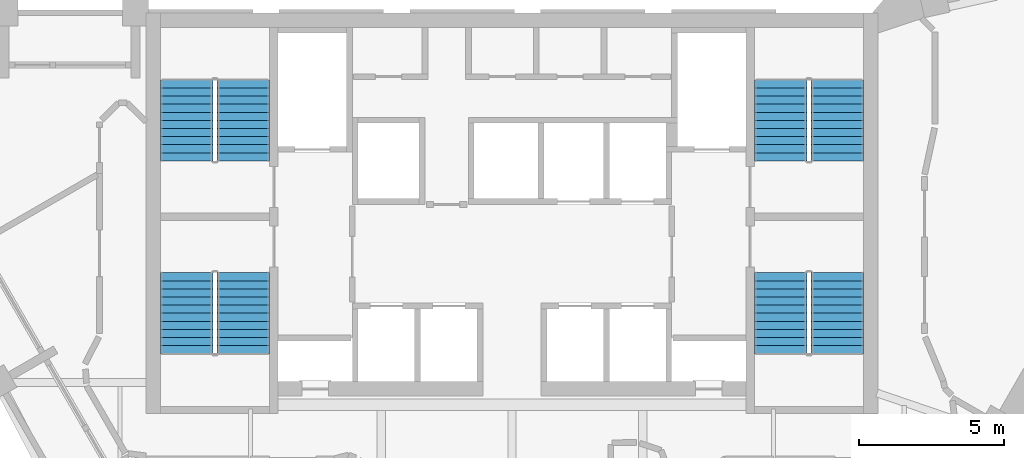
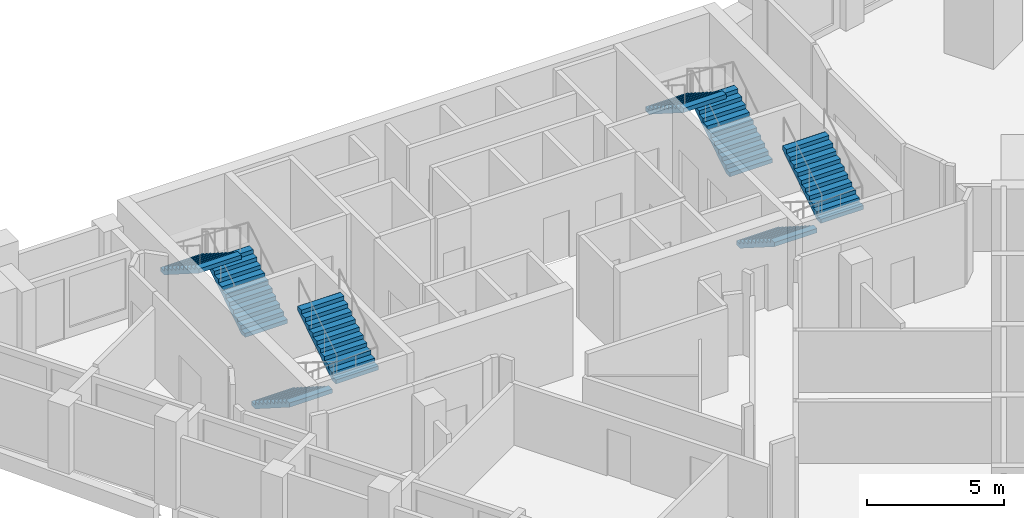
# One storey, part 8 of 9: 8 stair flights, 4 elements without a shape of their own.
"""IFC4 building model written with IfcOpenShell, lengths in metres."""

from ifc_helpers import new_model, si_unit, direction, frame, origin, place, context, subcontext, project, spatial, faceted_brep, source, transform, mapped, material, type_object, element, aggregate, save


model = new_model("IFC4")

# Units and contexts
model_context = context("Model", 3, precision=1e-05, world=origin(), true_north=direction((0.0, 1.0)))
body_context = subcontext(model_context, "Body", "Model", "MODEL_VIEW")
ifc_project = project(units=[si_unit("LENGTHUNIT", "METRE"), si_unit("AREAUNIT", "SQUARE_METRE"), si_unit("VOLUMEUNIT", "CUBIC_METRE"), si_unit("PLANEANGLEUNIT", "RADIAN"), si_unit("MASSUNIT", "GRAM", prefix="KILO")], contexts=[model_context])

# Site, building, storey
site_placement = place(None, origin())
site = spatial("IfcSite", under=ifc_project, at=site_placement, CompositionType="ELEMENT")
building_placement = place(site_placement, origin())
building = spatial("IfcBuilding", under=site, at=building_placement, Name="Calabash Gate Tower", CompositionType="ELEMENT")
storey_placement = place(building_placement, frame((0.0, 0.0, 291.10009765625)))
storey = spatial("IfcBuildingStorey", under=building, at=storey_placement, Name="L70", CompositionType="ELEMENT", Elevation=291.10009765625)

# Stair, stair flights
ifc_material_1 = material(Name="Concrete C40/50", Category="concrete")
stair_type = type_object("IfcStairType", Name="Exit stair 22 risers of 177.3 mm", PredefinedType="HALF_TURN_STAIR", material=ifc_material_1)
stair_1_placement = place(storey_placement, origin())
stair_1 = element("IfcStair", 1, at=stair_1_placement, inside=storey, type_object=stair_type, Name="L70 Exit stair ST1", PredefinedType="HALF_TURN_STAIR")
ifc_material_2 = material(Name="Concrete C40/50", Category="concrete")
stair_flight_type = type_object("IfcStairFlightType", Name="Exit stair flight SFL", PredefinedType="STRAIGHT", material=ifc_material_2)
shared_shape = source(origin(), body_context, "Body", "Brep", [
    faceted_brep([(-0.0009765625, -0.89990234375, 0.0), (0.279541015625, -0.89990234375, 0.0), (2.791015625, -0.89990234375, 1.59521484375), (-0.0009765625, 0.89990234375, 0.0), (2.791015625, 0.89990234375, 1.59521484375), (0.279541015625, 0.89990234375, 0.0), (2.791015625, -0.89990234375, 1.78466796875), (2.7900390625, -0.89990234375, 1.78466796875), (2.7900390625, 0.89990234375, 1.78466796875), (2.791015625, 0.89990234375, 1.78466796875), (2.7900390625, -0.89990234375, 1.772705078125), (2.7900390625, 0.89990234375, 1.772705078125), (2.510986328125, -0.89990234375, 1.772705078125), (2.510986328125, 0.89990234375, 1.772705078125), (2.510986328125, -0.89990234375, 1.595458984375), (2.510986328125, 0.89990234375, 1.595458984375), (2.23193359375, -0.89990234375, 1.595458984375), (2.23193359375, 0.89990234375, 1.595458984375), (2.23193359375, -0.89990234375, 1.418212890625), (2.23193359375, 0.89990234375, 1.418212890625), (1.952880859375, -0.89990234375, 1.418212890625), (1.952880859375, -0.89990234375, 1.240966796875), (1.952880859375, 0.89990234375, 1.240966796875), (1.952880859375, 0.89990234375, 1.418212890625), (1.674072265625, -0.89990234375, 1.240966796875), (1.674072265625, -0.89990234375, 1.063720703125), (1.674072265625, 0.89990234375, 1.063720703125), (1.674072265625, 0.89990234375, 1.240966796875), (1.39501953125, -0.89990234375, 1.063720703125), (1.39501953125, -0.89990234375, 0.886474609375), (1.39501953125, 0.89990234375, 0.886474609375), (1.39501953125, 0.89990234375, 1.063720703125), (1.115966796875, -0.89990234375, 0.886474609375), (1.115966796875, -0.89990234375, 0.708984375), (1.115966796875, 0.89990234375, 0.708984375), (1.115966796875, 0.89990234375, 0.886474609375), (0.8369140625, -0.89990234375, 0.708984375), (0.8369140625, -0.89990234375, 0.53173828125), (0.8369140625, 0.89990234375, 0.53173828125), (0.8369140625, 0.89990234375, 0.708984375), (0.55810546875, -0.89990234375, 0.53173828125), (0.55810546875, -0.89990234375, 0.3544921875), (0.55810546875, 0.89990234375, 0.3544921875), (0.55810546875, 0.89990234375, 0.53173828125), (0.279052734375, -0.89990234375, 0.3544921875), (0.279052734375, -0.89990234375, 0.17724609375), (0.279052734375, 0.89990234375, 0.17724609375), (0.279052734375, 0.89990234375, 0.3544921875), (-0.0009765625, -0.89990234375, 0.17724609375), (-0.0009765625, 0.89990234375, 0.17724609375), (0.279541015625, -0.360107421875, 0.0), (2.791015625, -0.360107421875, 1.59521484375), (0.279541015625, 0.0, 0.0), (2.791015625, 0.0, 1.59521484375), (0.279541015625, 0.360107421875, 0.0), (2.791015625, 0.360107421875, 1.59521484375), (2.791015625, -0.360107421875, 1.78466796875), (2.791015625, 0.0, 1.78466796875), (2.791015625, 0.360107421875, 1.78466796875), (2.7900390625, -0.360107421875, 1.78466796875), (2.7900390625, 0.0, 1.78466796875), (2.7900390625, 0.360107421875, 1.78466796875), (2.7900390625, -0.360107421875, 1.772705078125), (2.7900390625, 0.0, 1.772705078125), (2.7900390625, 0.360107421875, 1.772705078125), (2.510986328125, -0.360107421875, 1.772705078125), (2.510986328125, 0.0, 1.772705078125), (2.510986328125, 0.360107421875, 1.772705078125), (2.510986328125, -0.360107421875, 1.595458984375), (2.510986328125, 0.0, 1.595458984375), (2.510986328125, 0.360107421875, 1.595458984375), (2.23193359375, -0.360107421875, 1.595458984375), (2.23193359375, 0.0, 1.595458984375), (2.23193359375, 0.360107421875, 1.595458984375), (2.23193359375, -0.360107421875, 1.418212890625), (2.23193359375, 0.0, 1.418212890625), (2.23193359375, 0.360107421875, 1.418212890625), (1.952880859375, -0.360107421875, 1.418212890625), (1.952880859375, 0.0, 1.418212890625), (1.952880859375, 0.360107421875, 1.418212890625), (1.952880859375, -0.360107421875, 1.240966796875), (1.952880859375, 0.0, 1.240966796875), (1.952880859375, 0.360107421875, 1.240966796875), (1.674072265625, -0.360107421875, 1.240966796875), (1.674072265625, 0.0, 1.240966796875), (1.674072265625, 0.360107421875, 1.240966796875), (1.674072265625, -0.360107421875, 1.063720703125), (1.674072265625, 0.0, 1.063720703125), (1.674072265625, 0.360107421875, 1.063720703125), (1.39501953125, -0.360107421875, 1.063720703125), (1.39501953125, 0.0, 1.063720703125), (1.39501953125, 0.360107421875, 1.063720703125), (1.39501953125, -0.360107421875, 0.886474609375), (1.39501953125, 0.0, 0.886474609375), (1.39501953125, 0.360107421875, 0.886474609375), (1.115966796875, -0.360107421875, 0.886474609375), (1.115966796875, 0.0, 0.886474609375), (1.115966796875, 0.360107421875, 0.886474609375), (1.115966796875, -0.360107421875, 0.708984375), (1.115966796875, 0.0, 0.708984375), (1.115966796875, 0.360107421875, 0.708984375), (0.8369140625, -0.360107421875, 0.708984375), (0.8369140625, 0.0, 0.708984375), (0.8369140625, 0.360107421875, 0.708984375), (0.8369140625, -0.360107421875, 0.53173828125), (0.8369140625, 0.0, 0.53173828125), (0.8369140625, 0.360107421875, 0.53173828125), (0.55810546875, -0.360107421875, 0.53173828125), (0.55810546875, 0.0, 0.53173828125), (0.55810546875, 0.360107421875, 0.53173828125), (0.55810546875, -0.360107421875, 0.3544921875), (0.55810546875, 0.0, 0.3544921875), (0.55810546875, 0.360107421875, 0.3544921875), (0.279052734375, -0.360107421875, 0.3544921875), (0.279052734375, 0.0, 0.3544921875), (0.279052734375, 0.360107421875, 0.3544921875), (0.279052734375, -0.360107421875, 0.17724609375), (0.279052734375, 0.0, 0.17724609375), (0.279052734375, 0.360107421875, 0.17724609375), (-0.0009765625, -0.360107421875, 0.17724609375), (-0.0009765625, 0.0, 0.17724609375), (-0.0009765625, 0.360107421875, 0.17724609375), (-0.0009765625, -0.360107421875, 0.0), (-0.0009765625, 0.0, 0.0), (-0.0009765625, 0.360107421875, 0.0)], [[[0, 1, 2]], [[3, 4, 5]], [[2, 6, 7]], [[4, 8, 9]], [[2, 7, 10]], [[4, 11, 8]], [[2, 10, 12]], [[4, 13, 11]], [[2, 12, 14]], [[4, 15, 13]], [[2, 14, 16]], [[4, 17, 15]], [[2, 16, 18]], [[4, 19, 17]], [[18, 20, 21]], [[19, 22, 23]], [[2, 18, 21]], [[4, 22, 19]], [[21, 24, 25]], [[22, 26, 27]], [[2, 21, 25]], [[4, 26, 22]], [[25, 28, 29]], [[26, 30, 31]], [[2, 25, 29]], [[4, 30, 26]], [[29, 32, 33]], [[30, 34, 35]], [[2, 29, 33]], [[4, 34, 30]], [[33, 36, 37]], [[34, 38, 39]], [[2, 33, 37]], [[4, 38, 34]], [[37, 40, 41]], [[38, 42, 43]], [[2, 37, 41]], [[4, 42, 38]], [[41, 44, 45]], [[42, 46, 47]], [[2, 41, 45]], [[4, 46, 42]], [[0, 2, 45]], [[3, 46, 4]], [[45, 48, 0]], [[46, 3, 49]], [[1, 50, 2]], [[50, 51, 2]], [[50, 52, 51]], [[52, 53, 51]], [[52, 54, 55]], [[52, 55, 53]], [[54, 5, 4]], [[54, 4, 55]], [[2, 51, 6]], [[51, 56, 6]], [[51, 53, 56]], [[53, 57, 56]], [[53, 55, 58]], [[53, 58, 57]], [[55, 4, 9]], [[55, 9, 58]], [[6, 56, 7]], [[56, 59, 7]], [[56, 57, 59]], [[57, 60, 59]], [[57, 58, 61]], [[57, 61, 60]], [[58, 9, 8]], [[58, 8, 61]], [[7, 59, 10]], [[59, 62, 10]], [[59, 60, 62]], [[60, 63, 62]], [[60, 61, 64]], [[60, 64, 63]], [[61, 8, 11]], [[61, 11, 64]], [[10, 62, 12]], [[62, 65, 12]], [[62, 63, 65]], [[63, 66, 65]], [[63, 64, 67]], [[63, 67, 66]], [[64, 11, 13]], [[64, 13, 67]], [[12, 65, 14]], [[65, 68, 14]], [[65, 66, 68]], [[66, 69, 68]], [[66, 67, 70]], [[66, 70, 69]], [[67, 13, 15]], [[67, 15, 70]], [[14, 68, 16]], [[68, 71, 16]], [[68, 69, 71]], [[69, 72, 71]], [[69, 70, 73]], [[69, 73, 72]], [[70, 15, 17]], [[70, 17, 73]], [[16, 71, 18]], [[71, 74, 18]], [[71, 72, 74]], [[72, 75, 74]], [[72, 73, 76]], [[72, 76, 75]], [[73, 17, 19]], [[73, 19, 76]], [[18, 74, 20]], [[74, 77, 20]], [[74, 75, 77]], [[75, 78, 77]], [[75, 76, 79]], [[75, 79, 78]], [[76, 19, 23]], [[76, 23, 79]], [[20, 77, 21]], [[77, 80, 21]], [[77, 78, 80]], [[78, 81, 80]], [[78, 79, 82]], [[78, 82, 81]], [[79, 23, 22]], [[79, 22, 82]], [[21, 80, 24]], [[80, 83, 24]], [[80, 81, 83]], [[81, 84, 83]], [[81, 82, 85]], [[81, 85, 84]], [[82, 22, 27]], [[82, 27, 85]], [[24, 83, 25]], [[83, 86, 25]], [[83, 84, 86]], [[84, 87, 86]], [[84, 85, 88]], [[84, 88, 87]], [[85, 27, 26]], [[85, 26, 88]], [[25, 86, 28]], [[86, 89, 28]], [[86, 87, 89]], [[87, 90, 89]], [[87, 88, 91]], [[87, 91, 90]], [[88, 26, 31]], [[88, 31, 91]], [[28, 89, 29]], [[89, 92, 29]], [[89, 90, 92]], [[90, 93, 92]], [[90, 91, 94]], [[90, 94, 93]], [[91, 31, 30]], [[91, 30, 94]], [[29, 92, 32]], [[92, 95, 32]], [[92, 93, 95]], [[93, 96, 95]], [[93, 94, 97]], [[93, 97, 96]], [[94, 30, 35]], [[94, 35, 97]], [[32, 95, 33]], [[95, 98, 33]], [[95, 96, 98]], [[96, 99, 98]], [[96, 97, 100]], [[96, 100, 99]], [[97, 35, 34]], [[97, 34, 100]], [[33, 98, 36]], [[98, 101, 36]], [[98, 99, 101]], [[99, 102, 101]], [[99, 100, 103]], [[99, 103, 102]], [[100, 34, 39]], [[100, 39, 103]], [[36, 101, 37]], [[101, 104, 37]], [[101, 102, 104]], [[102, 105, 104]], [[102, 103, 106]], [[102, 106, 105]], [[103, 39, 38]], [[103, 38, 106]], [[37, 104, 40]], [[104, 107, 40]], [[104, 105, 107]], [[105, 108, 107]], [[105, 106, 109]], [[105, 109, 108]], [[106, 38, 43]], [[106, 43, 109]], [[40, 107, 41]], [[107, 110, 41]], [[107, 108, 110]], [[108, 111, 110]], [[108, 109, 112]], [[108, 112, 111]], [[109, 43, 42]], [[109, 42, 112]], [[41, 110, 44]], [[110, 113, 44]], [[110, 111, 113]], [[111, 114, 113]], [[111, 112, 115]], [[111, 115, 114]], [[112, 42, 47]], [[112, 47, 115]], [[44, 113, 45]], [[113, 116, 45]], [[113, 114, 116]], [[114, 117, 116]], [[114, 115, 118]], [[114, 118, 117]], [[115, 47, 46]], [[115, 46, 118]], [[45, 116, 48]], [[116, 119, 48]], [[116, 117, 119]], [[117, 120, 119]], [[117, 118, 121]], [[117, 121, 120]], [[118, 46, 49]], [[118, 49, 121]], [[48, 119, 0]], [[119, 122, 0]], [[119, 120, 122]], [[120, 123, 122]], [[120, 121, 124]], [[120, 124, 123]], [[121, 49, 3]], [[121, 3, 124]], [[0, 122, 1]], [[122, 50, 1]], [[122, 123, 50]], [[123, 52, 50]], [[123, 124, 54]], [[123, 54, 52]], [[124, 3, 5]], [[124, 5, 54]]]),
])
stair_flight_1_placement = place(storey_placement, frame((-9.25, 13.95263671875, 0.0), z_axis=(0.0, 0.0, 1.0), x_axis=(0.0, 1.0, 0.0)))
stair_flight_1 = element("IfcStairFlight", 2, at=stair_flight_1_placement, type_object=stair_flight_type, Name="ST1 flight 1", NumberOfRisers=11, NumberOfTreads=10, PredefinedType="STRAIGHT", RiserHeight=0.177272727, TreadLength=0.279, context=body_context, shape_type="MappedRepresentation", body=[
    mapped(shared_shape, transform((0.0, 0.0, 0.0), scale=1.0)),
])
stair_flight_2_placement = place(storey_placement, frame((-11.199951171875, 16.74267578125, 1.949951171875), z_axis=(0.0, 0.0, 1.0), x_axis=(0.0, -1.0, 0.0)))
stair_flight_2 = element("IfcStairFlight", 3, at=stair_flight_2_placement, type_object=stair_flight_type, Name="ST1 flight 2", NumberOfRisers=11, NumberOfTreads=10, PredefinedType="STRAIGHT", RiserHeight=0.177272727, TreadLength=0.279, context=body_context, shape_type="MappedRepresentation", body=[
    mapped(shared_shape, transform((0.0, 0.0, 0.0), scale=1.0)),
])
aggregate(stair_1, [stair_flight_1, stair_flight_2])

stair_2_placement = place(storey_placement, origin())
stair_2 = element("IfcStair", 4, at=stair_2_placement, inside=storey, type_object=stair_type, Name="L70 Exit stair ST2", PredefinedType="HALF_TURN_STAIR")
stair_flight_3_placement = place(storey_placement, frame((-11.199951171875, 10.1025390625, 0.0), z_axis=(0.0, 0.0, 1.0), x_axis=(0.0, -1.0, 0.0)))
stair_flight_3 = element("IfcStairFlight", 5, at=stair_flight_3_placement, type_object=stair_flight_type, Name="ST2 flight 1", NumberOfRisers=11, NumberOfTreads=10, PredefinedType="STRAIGHT", RiserHeight=0.177272727, TreadLength=0.279, context=body_context, shape_type="MappedRepresentation", body=[
    mapped(shared_shape, transform((0.0, 0.0, 0.0), scale=1.0)),
])
stair_flight_4_placement = place(storey_placement, frame((-9.25, 7.3125, 1.949951171875), z_axis=(0.0, 0.0, 1.0), x_axis=(0.0, 1.0, 0.0)))
stair_flight_4 = element("IfcStairFlight", 6, at=stair_flight_4_placement, type_object=stair_flight_type, Name="ST2 flight 2", NumberOfRisers=11, NumberOfTreads=10, PredefinedType="STRAIGHT", RiserHeight=0.177272727, TreadLength=0.279, context=body_context, shape_type="MappedRepresentation", body=[
    mapped(shared_shape, transform((0.0, 0.0, 0.0), scale=1.0)),
])
aggregate(stair_2, [stair_flight_3, stair_flight_4])

stair_3_placement = place(storey_placement, origin())
stair_3 = element("IfcStair", 7, at=stair_3_placement, inside=storey, type_object=stair_type, Name="L70 Exit stair ST3", PredefinedType="HALF_TURN_STAIR")
stair_flight_5_placement = place(storey_placement, frame((11.199951171875, 13.95263671875, 0.0), z_axis=(0.0, 0.0, 1.0), x_axis=(0.0, 1.0, 0.0)))
stair_flight_5 = element("IfcStairFlight", 8, at=stair_flight_5_placement, type_object=stair_flight_type, Name="ST3 flight 1", NumberOfRisers=11, NumberOfTreads=10, PredefinedType="STRAIGHT", RiserHeight=0.177272727, TreadLength=0.279, context=body_context, shape_type="MappedRepresentation", body=[
    mapped(shared_shape, transform((0.0, 0.0, 0.0), scale=1.0)),
])
stair_flight_6_placement = place(storey_placement, frame((9.25, 16.74267578125, 1.949951171875), z_axis=(0.0, 0.0, 1.0), x_axis=(0.0, -1.0, 0.0)))
stair_flight_6 = element("IfcStairFlight", 9, at=stair_flight_6_placement, type_object=stair_flight_type, Name="ST3 flight 2", NumberOfRisers=11, NumberOfTreads=10, PredefinedType="STRAIGHT", RiserHeight=0.177272727, TreadLength=0.279, context=body_context, shape_type="MappedRepresentation", body=[
    mapped(shared_shape, transform((0.0, 0.0, 0.0), scale=1.0)),
])
aggregate(stair_3, [stair_flight_5, stair_flight_6])

stair_4_placement = place(storey_placement, origin())
stair_4 = element("IfcStair", 10, at=stair_4_placement, inside=storey, type_object=stair_type, Name="L70 Exit stair ST4", PredefinedType="HALF_TURN_STAIR")
stair_flight_7_placement = place(storey_placement, frame((9.25, 10.1025390625, 0.0), z_axis=(0.0, 0.0, 1.0), x_axis=(0.0, -1.0, 0.0)))
stair_flight_7 = element("IfcStairFlight", 11, at=stair_flight_7_placement, type_object=stair_flight_type, Name="ST4 flight 1", NumberOfRisers=11, NumberOfTreads=10, PredefinedType="STRAIGHT", RiserHeight=0.177272727, TreadLength=0.279, context=body_context, shape_type="MappedRepresentation", body=[
    mapped(shared_shape, transform((0.0, 0.0, 0.0), scale=1.0)),
])
stair_flight_8_placement = place(storey_placement, frame((11.199951171875, 7.3125, 1.949951171875), z_axis=(0.0, 0.0, 1.0), x_axis=(0.0, 1.0, 0.0)))
stair_flight_8 = element("IfcStairFlight", 12, at=stair_flight_8_placement, type_object=stair_flight_type, Name="ST4 flight 2", NumberOfRisers=11, NumberOfTreads=10, PredefinedType="STRAIGHT", RiserHeight=0.177272727, TreadLength=0.279, context=body_context, shape_type="MappedRepresentation", body=[
    mapped(shared_shape, transform((0.0, 0.0, 0.0), scale=1.0)),
])
aggregate(stair_4, [stair_flight_7, stair_flight_8])

save(model, "model.ifc")
